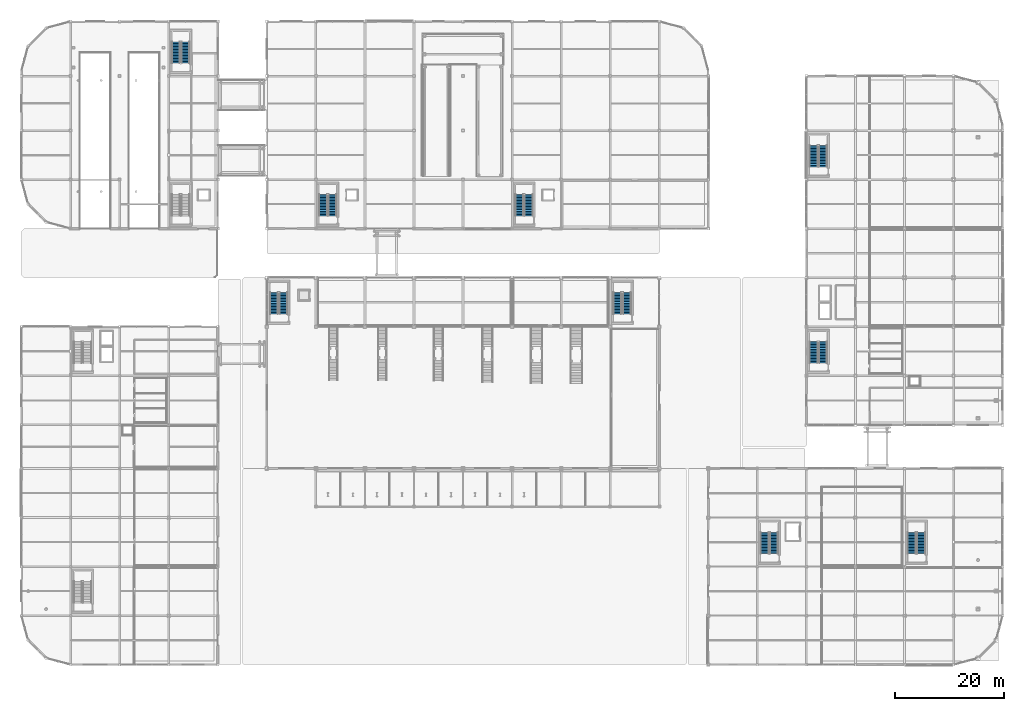
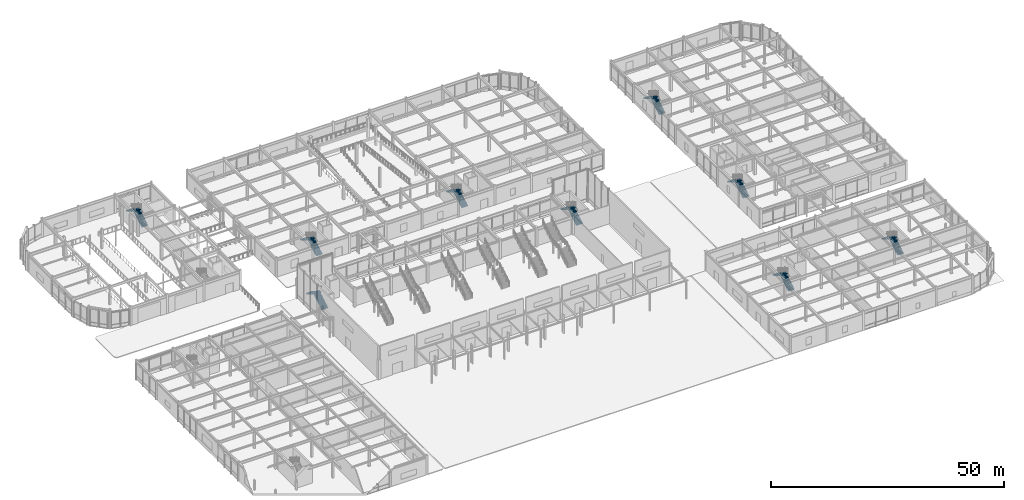
# One storey, part 95 of 123: 18 stair flights, 9 elements without a shape of their own.
"""IFC4 building model written with IfcOpenShell, lengths in metres."""

from ifc_helpers import new_model, si_unit, direction, frame, origin, place, context, subcontext, project, spatial, polyline, outline, extrude, material, type_object, element, aggregate, save


model = new_model("IFC4")

# Units and contexts
model_context = context("Model", 3, precision=1e-05, world=origin(), true_north=direction((0.0, 1.0)))
body_context = subcontext(model_context, "Body", "Model", "MODEL_VIEW")
ifc_project = project(units=[si_unit("LENGTHUNIT", "METRE"), si_unit("AREAUNIT", "SQUARE_METRE"), si_unit("VOLUMEUNIT", "CUBIC_METRE"), si_unit("PLANEANGLEUNIT", "RADIAN"), si_unit("MASSUNIT", "GRAM", prefix="KILO")], contexts=[model_context])

# Site, building, storey
site_placement = place(None, origin())
site = spatial("IfcSite", under=ifc_project, at=site_placement, CompositionType="ELEMENT")
building_placement = place(site_placement, origin())
building = spatial("IfcBuilding", under=site, at=building_placement, Name="Suzunagisa Mobility Hub", CompositionType="ELEMENT")
storey_placement = place(building_placement, origin())
storey = spatial("IfcBuildingStorey", under=building, at=storey_placement, Name="L00", CompositionType="ELEMENT", Elevation=0.0)

# Stair, stair flights
ifc_material = material(Name="Concrete C35/45", Category="concrete")
stair_type_1 = type_object("IfcStairType", Name="Dog-Leg Core Escape Stair ST-03 W1560", PredefinedType="HALF_TURN_STAIR", material=ifc_material)
stair_1_placement = place(storey_placement, origin())
stair_1 = element("IfcStair", 1, at=stair_1_placement, inside=storey, type_object=stair_type_1, Name="L00 Core C2 Escape Stair ST-03", PredefinedType="HALF_TURN_STAIR")
stair_flight_type_1 = type_object("IfcStairFlightType", Name="Dog-Leg Core Stair Flight ST-03-F W1560", PredefinedType="STRAIGHT", material=ifc_material)
stair_flight_1_placement = place(storey_placement, frame((48.06005859375, 64.360107421875, 0.0), z_axis=(0.0, 0.0, 1.0), x_axis=(0.0, 1.0, 0.0)))
stair_flight_1 = element("IfcStairFlight", 2, at=stair_flight_1_placement, type_object=stair_flight_type_1, Name="ST-03 flight 1", NumberOfRisers=15, NumberOfTreads=14, PredefinedType="STRAIGHT", RiserHeight=0.17, TreadLength=0.28, context=body_context, shape_type="SweptSolid", body=[
    extrude(outline(polyline([(0.0, 0.0), (0.0, 0.169921875), (0.280029296875, 0.169921875), (0.280029296875, 0.340087890625), (0.56005859375, 0.340087890625), (0.56005859375, 0.510009765625), (0.840087890625, 0.510009765625), (0.840087890625, 0.679931640625), (1.1201171875, 0.679931640625), (1.1201171875, 0.85009765625), (1.39990234375, 0.85009765625), (1.39990234375, 1.02001953125), (1.679931640625, 1.02001953125), (1.679931640625, 1.18994140625), (1.9599609375, 1.18994140625), (1.9599609375, 1.360107421875), (2.239990234375, 1.360107421875), (2.239990234375, 1.530029296875), (2.52001953125, 1.530029296875), (2.52001953125, 1.699951171875), (2.800048828125, 1.699951171875), (2.800048828125, 1.8701171875), (3.080078125, 1.8701171875), (3.080078125, 2.0400390625), (3.360107421875, 2.0400390625), (3.360107421875, 2.2099609375), (3.639892578125, 2.2099609375), (3.639892578125, 2.3798828125), (3.919921875, 2.3798828125), (3.919921875, 2.550048828125), (3.919921875, 2.19287109375), (0.30810546875, 0.0), (0.0, 0.0)])), frame((0.0, 0.780029296875, 0.0), z_axis=(0.0, -1.0, 0.0), x_axis=(1.0, 0.0, 0.0)), (0.0, 0.0, 1.0), 1.56005859375),
])
stair_flight_2_placement = place(storey_placement, frame((46.340087890625, 68.280029296875, 2.550048828125), z_axis=(0.0, 0.0, 1.0), x_axis=(0.0, -1.0, 0.0)))
stair_flight_2 = element("IfcStairFlight", 3, at=stair_flight_2_placement, type_object=stair_flight_type_1, Name="ST-03 flight 2", NumberOfRisers=15, NumberOfTreads=14, PredefinedType="STRAIGHT", RiserHeight=0.17, TreadLength=0.28, context=body_context, shape_type="SweptSolid", body=[
    extrude(outline(polyline([(0.0, 0.0), (0.0, 0.169921875), (0.280029296875, 0.169921875), (0.280029296875, 0.340087890625), (0.56005859375, 0.340087890625), (0.56005859375, 0.510009765625), (0.840087890625, 0.510009765625), (0.840087890625, 0.679931640625), (1.1201171875, 0.679931640625), (1.1201171875, 0.85009765625), (1.39990234375, 0.85009765625), (1.39990234375, 1.02001953125), (1.679931640625, 1.02001953125), (1.679931640625, 1.18994140625), (1.9599609375, 1.18994140625), (1.9599609375, 1.360107421875), (2.239990234375, 1.360107421875), (2.239990234375, 1.530029296875), (2.52001953125, 1.530029296875), (2.52001953125, 1.699951171875), (2.800048828125, 1.699951171875), (2.800048828125, 1.8701171875), (3.080078125, 1.8701171875), (3.080078125, 2.0400390625), (3.360107421875, 2.0400390625), (3.360107421875, 2.2099609375), (3.639892578125, 2.2099609375), (3.639892578125, 2.3798828125), (3.919921875, 2.3798828125), (3.919921875, 2.550048828125), (3.919921875, 2.19287109375), (0.30810546875, 0.0), (0.0, 0.0)])), frame((0.0, 0.780029296875, 0.0), z_axis=(0.0, -1.0, 0.0), x_axis=(1.0, 0.0, 0.0)), (0.0, 0.0, 1.0), 1.56005859375),
])
aggregate(stair_1, [stair_flight_1, stair_flight_2])

stair_type_2 = type_object("IfcStairType", Name="Dog-Leg Core Escape Stair ST-04 W1560", PredefinedType="HALF_TURN_STAIR", material=ifc_material)
stair_2_placement = place(storey_placement, origin())
stair_2 = element("IfcStair", 4, at=stair_2_placement, inside=storey, type_object=stair_type_2, Name="L00 Core C2B Escape Stair ST-04", PredefinedType="HALF_TURN_STAIR")
stair_flight_type_2 = type_object("IfcStairFlightType", Name="Dog-Leg Core Stair Flight ST-04-F W1560", PredefinedType="STRAIGHT", material=ifc_material)
stair_flight_3_placement = place(storey_placement, frame((111.06005859375, 64.360107421875, 0.0), z_axis=(0.0, 0.0, 1.0), x_axis=(0.0, 1.0, 0.0)))
stair_flight_3 = element("IfcStairFlight", 5, at=stair_flight_3_placement, type_object=stair_flight_type_2, Name="ST-04 flight 1", NumberOfRisers=15, NumberOfTreads=14, PredefinedType="STRAIGHT", RiserHeight=0.17, TreadLength=0.28, context=body_context, shape_type="SweptSolid", body=[
    extrude(outline(polyline([(0.0, 0.0), (0.0, 0.169921875), (0.280029296875, 0.169921875), (0.280029296875, 0.340087890625), (0.56005859375, 0.340087890625), (0.56005859375, 0.510009765625), (0.840087890625, 0.510009765625), (0.840087890625, 0.679931640625), (1.1201171875, 0.679931640625), (1.1201171875, 0.85009765625), (1.39990234375, 0.85009765625), (1.39990234375, 1.02001953125), (1.679931640625, 1.02001953125), (1.679931640625, 1.18994140625), (1.9599609375, 1.18994140625), (1.9599609375, 1.360107421875), (2.239990234375, 1.360107421875), (2.239990234375, 1.530029296875), (2.52001953125, 1.530029296875), (2.52001953125, 1.699951171875), (2.800048828125, 1.699951171875), (2.800048828125, 1.8701171875), (3.080078125, 1.8701171875), (3.080078125, 2.0400390625), (3.360107421875, 2.0400390625), (3.360107421875, 2.2099609375), (3.639892578125, 2.2099609375), (3.639892578125, 2.3798828125), (3.919921875, 2.3798828125), (3.919921875, 2.550048828125), (3.919921875, 2.19287109375), (0.30810546875, 0.0), (0.0, 0.0)])), frame((0.0, 0.780029296875, 0.0), z_axis=(0.0, -1.0, 0.0), x_axis=(1.0, 0.0, 0.0)), (0.0, 0.0, 1.0), 1.56005859375),
])
stair_flight_4_placement = place(storey_placement, frame((109.340087890625, 68.280029296875, 2.550048828125), z_axis=(0.0, 0.0, 1.0), x_axis=(0.0, -1.0, 0.0)))
stair_flight_4 = element("IfcStairFlight", 6, at=stair_flight_4_placement, type_object=stair_flight_type_2, Name="ST-04 flight 2", NumberOfRisers=15, NumberOfTreads=14, PredefinedType="STRAIGHT", RiserHeight=0.17, TreadLength=0.28, context=body_context, shape_type="SweptSolid", body=[
    extrude(outline(polyline([(0.0, 0.0), (0.0, 0.169921875), (0.280029296875, 0.169921875), (0.280029296875, 0.340087890625), (0.56005859375, 0.340087890625), (0.56005859375, 0.510009765625), (0.840087890625, 0.510009765625), (0.840087890625, 0.679931640625), (1.1201171875, 0.679931640625), (1.1201171875, 0.85009765625), (1.39990234375, 0.85009765625), (1.39990234375, 1.02001953125), (1.679931640625, 1.02001953125), (1.679931640625, 1.18994140625), (1.9599609375, 1.18994140625), (1.9599609375, 1.360107421875), (2.239990234375, 1.360107421875), (2.239990234375, 1.530029296875), (2.52001953125, 1.530029296875), (2.52001953125, 1.699951171875), (2.800048828125, 1.699951171875), (2.800048828125, 1.8701171875), (3.080078125, 1.8701171875), (3.080078125, 2.0400390625), (3.360107421875, 2.0400390625), (3.360107421875, 2.2099609375), (3.639892578125, 2.2099609375), (3.639892578125, 2.3798828125), (3.919921875, 2.3798828125), (3.919921875, 2.550048828125), (3.919921875, 2.19287109375), (0.30810546875, 0.0), (0.0, 0.0)])), frame((0.0, 0.780029296875, 0.0), z_axis=(0.0, -1.0, 0.0), x_axis=(1.0, 0.0, 0.0)), (0.0, 0.0, 1.0), 1.56005859375),
])
aggregate(stair_2, [stair_flight_3, stair_flight_4])

stair_type_3 = type_object("IfcStairType", Name="Dog-Leg Core Escape Stair ST-06 W1560", PredefinedType="HALF_TURN_STAIR", material=ifc_material)
stair_3_placement = place(storey_placement, origin())
stair_3 = element("IfcStair", 7, at=stair_3_placement, inside=storey, type_object=stair_type_3, Name="L00 Core C6B Escape Stair ST-06", PredefinedType="HALF_TURN_STAIR")
stair_flight_type_3 = type_object("IfcStairFlightType", Name="Dog-Leg Core Stair Flight ST-06-F W1560", PredefinedType="STRAIGHT", material=ifc_material)
stair_flight_5_placement = place(storey_placement, frame((30.06005859375, 110.360107421875, 0.0), z_axis=(0.0, 0.0, 1.0), x_axis=(0.0, 1.0, 0.0)))
stair_flight_5 = element("IfcStairFlight", 8, at=stair_flight_5_placement, type_object=stair_flight_type_3, Name="ST-06 flight 1", NumberOfRisers=15, NumberOfTreads=14, PredefinedType="STRAIGHT", RiserHeight=0.17, TreadLength=0.28, context=body_context, shape_type="SweptSolid", body=[
    extrude(outline(polyline([(0.0, 0.0), (0.0, 0.169921875), (0.280029296875, 0.169921875), (0.280029296875, 0.340087890625), (0.56005859375, 0.340087890625), (0.56005859375, 0.510009765625), (0.840087890625, 0.510009765625), (0.840087890625, 0.679931640625), (1.1201171875, 0.679931640625), (1.1201171875, 0.85009765625), (1.39990234375, 0.85009765625), (1.39990234375, 1.02001953125), (1.679931640625, 1.02001953125), (1.679931640625, 1.18994140625), (1.9599609375, 1.18994140625), (1.9599609375, 1.360107421875), (2.239990234375, 1.360107421875), (2.239990234375, 1.530029296875), (2.52001953125, 1.530029296875), (2.52001953125, 1.699951171875), (2.800048828125, 1.699951171875), (2.800048828125, 1.8701171875), (3.080078125, 1.8701171875), (3.080078125, 2.0400390625), (3.360107421875, 2.0400390625), (3.360107421875, 2.2099609375), (3.639892578125, 2.2099609375), (3.639892578125, 2.3798828125), (3.919921875, 2.3798828125), (3.919921875, 2.550048828125), (3.919921875, 2.19287109375), (0.30810546875, 0.0), (0.0, 0.0)])), frame((0.0, 0.780029296875, 0.0), z_axis=(0.0, -1.0, 0.0), x_axis=(1.0, 0.0, 0.0)), (0.0, 0.0, 1.0), 1.56005859375),
])
stair_flight_6_placement = place(storey_placement, frame((28.340087890625, 114.280029296875, 2.550048828125), z_axis=(0.0, 0.0, 1.0), x_axis=(0.0, -1.0, 0.0)))
stair_flight_6 = element("IfcStairFlight", 9, at=stair_flight_6_placement, type_object=stair_flight_type_3, Name="ST-06 flight 2", NumberOfRisers=15, NumberOfTreads=14, PredefinedType="STRAIGHT", RiserHeight=0.17, TreadLength=0.28, context=body_context, shape_type="SweptSolid", body=[
    extrude(outline(polyline([(0.0, 0.0), (0.0, 0.169921875), (0.280029296875, 0.169921875), (0.280029296875, 0.340087890625), (0.56005859375, 0.340087890625), (0.56005859375, 0.510009765625), (0.840087890625, 0.510009765625), (0.840087890625, 0.679931640625), (1.1201171875, 0.679931640625), (1.1201171875, 0.85009765625), (1.39990234375, 0.85009765625), (1.39990234375, 1.02001953125), (1.679931640625, 1.02001953125), (1.679931640625, 1.18994140625), (1.9599609375, 1.18994140625), (1.9599609375, 1.360107421875), (2.239990234375, 1.360107421875), (2.239990234375, 1.530029296875), (2.52001953125, 1.530029296875), (2.52001953125, 1.699951171875), (2.800048828125, 1.699951171875), (2.800048828125, 1.8701171875), (3.080078125, 1.8701171875), (3.080078125, 2.0400390625), (3.360107421875, 2.0400390625), (3.360107421875, 2.2099609375), (3.639892578125, 2.2099609375), (3.639892578125, 2.3798828125), (3.919921875, 2.3798828125), (3.919921875, 2.550048828125), (3.919921875, 2.19287109375), (0.30810546875, 0.0), (0.0, 0.0)])), frame((0.0, 0.780029296875, 0.0), z_axis=(0.0, -1.0, 0.0), x_axis=(1.0, 0.0, 0.0)), (0.0, 0.0, 1.0), 1.56005859375),
])
aggregate(stair_3, [stair_flight_5, stair_flight_6])

stair_type_4 = type_object("IfcStairType", Name="Dog-Leg Core Escape Stair ST-07 W1560", PredefinedType="HALF_TURN_STAIR", material=ifc_material)
stair_4_placement = place(storey_placement, origin())
stair_4 = element("IfcStair", 10, at=stair_4_placement, inside=storey, type_object=stair_type_4, Name="L00 Core C3 Escape Stair ST-07", PredefinedType="HALF_TURN_STAIR")
stair_flight_type_4 = type_object("IfcStairFlightType", Name="Dog-Leg Core Stair Flight ST-07-F W1560", PredefinedType="STRAIGHT", material=ifc_material)
stair_flight_7_placement = place(storey_placement, frame((57.06005859375, 82.360107421875, 0.0), z_axis=(0.0, 0.0, 1.0), x_axis=(0.0, 1.0, 0.0)))
stair_flight_7 = element("IfcStairFlight", 11, at=stair_flight_7_placement, type_object=stair_flight_type_4, Name="ST-07 flight 1", NumberOfRisers=15, NumberOfTreads=14, PredefinedType="STRAIGHT", RiserHeight=0.17, TreadLength=0.28, context=body_context, shape_type="SweptSolid", body=[
    extrude(outline(polyline([(0.0, 0.0), (0.0, 0.169921875), (0.280029296875, 0.169921875), (0.280029296875, 0.340087890625), (0.56005859375, 0.340087890625), (0.56005859375, 0.510009765625), (0.840087890625, 0.510009765625), (0.840087890625, 0.679931640625), (1.1201171875, 0.679931640625), (1.1201171875, 0.85009765625), (1.39990234375, 0.85009765625), (1.39990234375, 1.02001953125), (1.679931640625, 1.02001953125), (1.679931640625, 1.18994140625), (1.9599609375, 1.18994140625), (1.9599609375, 1.360107421875), (2.239990234375, 1.360107421875), (2.239990234375, 1.530029296875), (2.52001953125, 1.530029296875), (2.52001953125, 1.699951171875), (2.800048828125, 1.699951171875), (2.800048828125, 1.8701171875), (3.080078125, 1.8701171875), (3.080078125, 2.0400390625), (3.360107421875, 2.0400390625), (3.360107421875, 2.2099609375), (3.639892578125, 2.2099609375), (3.639892578125, 2.3798828125), (3.919921875, 2.3798828125), (3.919921875, 2.550048828125), (3.919921875, 2.19287109375), (0.30810546875, 0.0), (0.0, 0.0)])), frame((0.0, 0.780029296875, 0.0), z_axis=(0.0, -1.0, 0.0), x_axis=(1.0, 0.0, 0.0)), (0.0, 0.0, 1.0), 1.56005859375),
])
stair_flight_8_placement = place(storey_placement, frame((55.340087890625, 86.280029296875, 2.550048828125), z_axis=(0.0, 0.0, 1.0), x_axis=(0.0, -1.0, 0.0)))
stair_flight_8 = element("IfcStairFlight", 12, at=stair_flight_8_placement, type_object=stair_flight_type_4, Name="ST-07 flight 2", NumberOfRisers=15, NumberOfTreads=14, PredefinedType="STRAIGHT", RiserHeight=0.17, TreadLength=0.28, context=body_context, shape_type="SweptSolid", body=[
    extrude(outline(polyline([(0.0, 0.0), (0.0, 0.169921875), (0.280029296875, 0.169921875), (0.280029296875, 0.340087890625), (0.56005859375, 0.340087890625), (0.56005859375, 0.510009765625), (0.840087890625, 0.510009765625), (0.840087890625, 0.679931640625), (1.1201171875, 0.679931640625), (1.1201171875, 0.85009765625), (1.39990234375, 0.85009765625), (1.39990234375, 1.02001953125), (1.679931640625, 1.02001953125), (1.679931640625, 1.18994140625), (1.9599609375, 1.18994140625), (1.9599609375, 1.360107421875), (2.239990234375, 1.360107421875), (2.239990234375, 1.530029296875), (2.52001953125, 1.530029296875), (2.52001953125, 1.699951171875), (2.800048828125, 1.699951171875), (2.800048828125, 1.8701171875), (3.080078125, 1.8701171875), (3.080078125, 2.0400390625), (3.360107421875, 2.0400390625), (3.360107421875, 2.2099609375), (3.639892578125, 2.2099609375), (3.639892578125, 2.3798828125), (3.919921875, 2.3798828125), (3.919921875, 2.550048828125), (3.919921875, 2.19287109375), (0.30810546875, 0.0), (0.0, 0.0)])), frame((0.0, 0.780029296875, 0.0), z_axis=(0.0, -1.0, 0.0), x_axis=(1.0, 0.0, 0.0)), (0.0, 0.0, 1.0), 1.56005859375),
])
aggregate(stair_4, [stair_flight_7, stair_flight_8])

stair_type_5 = type_object("IfcStairType", Name="Dog-Leg Core Escape Stair ST-08 W1560", PredefinedType="HALF_TURN_STAIR", material=ifc_material)
stair_5_placement = place(storey_placement, origin())
stair_5 = element("IfcStair", 13, at=stair_5_placement, inside=storey, type_object=stair_type_5, Name="L00 Core C4 Escape Stair ST-08", PredefinedType="HALF_TURN_STAIR")
stair_flight_type_5 = type_object("IfcStairFlightType", Name="Dog-Leg Core Stair Flight ST-08-F W1560", PredefinedType="STRAIGHT", material=ifc_material)
stair_flight_9_placement = place(storey_placement, frame((93.06005859375, 82.360107421875, 0.0), z_axis=(0.0, 0.0, 1.0), x_axis=(0.0, 1.0, 0.0)))
stair_flight_9 = element("IfcStairFlight", 14, at=stair_flight_9_placement, type_object=stair_flight_type_5, Name="ST-08 flight 1", NumberOfRisers=15, NumberOfTreads=14, PredefinedType="STRAIGHT", RiserHeight=0.17, TreadLength=0.28, context=body_context, shape_type="SweptSolid", body=[
    extrude(outline(polyline([(0.0, 0.0), (0.0, 0.169921875), (0.280029296875, 0.169921875), (0.280029296875, 0.340087890625), (0.56005859375, 0.340087890625), (0.56005859375, 0.510009765625), (0.840087890625, 0.510009765625), (0.840087890625, 0.679931640625), (1.1201171875, 0.679931640625), (1.1201171875, 0.85009765625), (1.39990234375, 0.85009765625), (1.39990234375, 1.02001953125), (1.679931640625, 1.02001953125), (1.679931640625, 1.18994140625), (1.9599609375, 1.18994140625), (1.9599609375, 1.360107421875), (2.239990234375, 1.360107421875), (2.239990234375, 1.530029296875), (2.52001953125, 1.530029296875), (2.52001953125, 1.699951171875), (2.800048828125, 1.699951171875), (2.800048828125, 1.8701171875), (3.080078125, 1.8701171875), (3.080078125, 2.0400390625), (3.360107421875, 2.0400390625), (3.360107421875, 2.2099609375), (3.639892578125, 2.2099609375), (3.639892578125, 2.3798828125), (3.919921875, 2.3798828125), (3.919921875, 2.550048828125), (3.919921875, 2.19287109375), (0.30810546875, 0.0), (0.0, 0.0)])), frame((0.0, 0.780029296875, 0.0), z_axis=(0.0, -1.0, 0.0), x_axis=(1.0, 0.0, 0.0)), (0.0, 0.0, 1.0), 1.56005859375),
])
stair_flight_10_placement = place(storey_placement, frame((91.340087890625, 86.280029296875, 2.550048828125), z_axis=(0.0, 0.0, 1.0), x_axis=(0.0, -1.0, 0.0)))
stair_flight_10 = element("IfcStairFlight", 15, at=stair_flight_10_placement, type_object=stair_flight_type_5, Name="ST-08 flight 2", NumberOfRisers=15, NumberOfTreads=14, PredefinedType="STRAIGHT", RiserHeight=0.17, TreadLength=0.28, context=body_context, shape_type="SweptSolid", body=[
    extrude(outline(polyline([(0.0, 0.0), (0.0, 0.169921875), (0.280029296875, 0.169921875), (0.280029296875, 0.340087890625), (0.56005859375, 0.340087890625), (0.56005859375, 0.510009765625), (0.840087890625, 0.510009765625), (0.840087890625, 0.679931640625), (1.1201171875, 0.679931640625), (1.1201171875, 0.85009765625), (1.39990234375, 0.85009765625), (1.39990234375, 1.02001953125), (1.679931640625, 1.02001953125), (1.679931640625, 1.18994140625), (1.9599609375, 1.18994140625), (1.9599609375, 1.360107421875), (2.239990234375, 1.360107421875), (2.239990234375, 1.530029296875), (2.52001953125, 1.530029296875), (2.52001953125, 1.699951171875), (2.800048828125, 1.699951171875), (2.800048828125, 1.8701171875), (3.080078125, 1.8701171875), (3.080078125, 2.0400390625), (3.360107421875, 2.0400390625), (3.360107421875, 2.2099609375), (3.639892578125, 2.2099609375), (3.639892578125, 2.3798828125), (3.919921875, 2.3798828125), (3.919921875, 2.550048828125), (3.919921875, 2.19287109375), (0.30810546875, 0.0), (0.0, 0.0)])), frame((0.0, 0.780029296875, 0.0), z_axis=(0.0, -1.0, 0.0), x_axis=(1.0, 0.0, 0.0)), (0.0, 0.0, 1.0), 1.56005859375),
])
aggregate(stair_5, [stair_flight_9, stair_flight_10])

stair_type_6 = type_object("IfcStairType", Name="Dog-Leg Core Escape Stair ST-09 W1560", PredefinedType="HALF_TURN_STAIR", material=ifc_material)
stair_6_placement = place(storey_placement, origin())
stair_6 = element("IfcStair", 16, at=stair_6_placement, inside=storey, type_object=stair_type_6, Name="L00 Core C7 Escape Stair ST-09", PredefinedType="HALF_TURN_STAIR")
stair_flight_type_6 = type_object("IfcStairFlightType", Name="Dog-Leg Core Stair Flight ST-09-F W1560", PredefinedType="STRAIGHT", material=ifc_material)
stair_flight_11_placement = place(storey_placement, frame((138.06005859375, 20.360107421875, 0.0), z_axis=(0.0, 0.0, 1.0), x_axis=(0.0, 1.0, 0.0)))
stair_flight_11 = element("IfcStairFlight", 17, at=stair_flight_11_placement, type_object=stair_flight_type_6, Name="ST-09 flight 1", NumberOfRisers=15, NumberOfTreads=14, PredefinedType="STRAIGHT", RiserHeight=0.17, TreadLength=0.28, context=body_context, shape_type="SweptSolid", body=[
    extrude(outline(polyline([(0.0, 0.0), (0.0, 0.169921875), (0.280029296875, 0.169921875), (0.280029296875, 0.340087890625), (0.56005859375, 0.340087890625), (0.56005859375, 0.510009765625), (0.840087890625, 0.510009765625), (0.840087890625, 0.679931640625), (1.1201171875, 0.679931640625), (1.1201171875, 0.85009765625), (1.39990234375, 0.85009765625), (1.39990234375, 1.02001953125), (1.679931640625, 1.02001953125), (1.679931640625, 1.18994140625), (1.9599609375, 1.18994140625), (1.9599609375, 1.360107421875), (2.239990234375, 1.360107421875), (2.239990234375, 1.530029296875), (2.52001953125, 1.530029296875), (2.52001953125, 1.699951171875), (2.800048828125, 1.699951171875), (2.800048828125, 1.8701171875), (3.080078125, 1.8701171875), (3.080078125, 2.0400390625), (3.360107421875, 2.0400390625), (3.360107421875, 2.2099609375), (3.639892578125, 2.2099609375), (3.639892578125, 2.3798828125), (3.919921875, 2.3798828125), (3.919921875, 2.550048828125), (3.919921875, 2.19287109375), (0.30810546875, 0.0), (0.0, 0.0)])), frame((0.0, 0.780029296875, 0.0), z_axis=(0.0, -1.0, 0.0), x_axis=(1.0, 0.0, 0.0)), (0.0, 0.0, 1.0), 1.56005859375),
])
stair_flight_12_placement = place(storey_placement, frame((136.340087890625, 24.280029296875, 2.550048828125), z_axis=(0.0, 0.0, 1.0), x_axis=(0.0, -1.0, 0.0)))
stair_flight_12 = element("IfcStairFlight", 18, at=stair_flight_12_placement, type_object=stair_flight_type_6, Name="ST-09 flight 2", NumberOfRisers=15, NumberOfTreads=14, PredefinedType="STRAIGHT", RiserHeight=0.17, TreadLength=0.28, context=body_context, shape_type="SweptSolid", body=[
    extrude(outline(polyline([(0.0, 0.0), (0.0, 0.169921875), (0.280029296875, 0.169921875), (0.280029296875, 0.340087890625), (0.56005859375, 0.340087890625), (0.56005859375, 0.510009765625), (0.840087890625, 0.510009765625), (0.840087890625, 0.679931640625), (1.1201171875, 0.679931640625), (1.1201171875, 0.85009765625), (1.39990234375, 0.85009765625), (1.39990234375, 1.02001953125), (1.679931640625, 1.02001953125), (1.679931640625, 1.18994140625), (1.9599609375, 1.18994140625), (1.9599609375, 1.360107421875), (2.239990234375, 1.360107421875), (2.239990234375, 1.530029296875), (2.52001953125, 1.530029296875), (2.52001953125, 1.699951171875), (2.800048828125, 1.699951171875), (2.800048828125, 1.8701171875), (3.080078125, 1.8701171875), (3.080078125, 2.0400390625), (3.360107421875, 2.0400390625), (3.360107421875, 2.2099609375), (3.639892578125, 2.2099609375), (3.639892578125, 2.3798828125), (3.919921875, 2.3798828125), (3.919921875, 2.550048828125), (3.919921875, 2.19287109375), (0.30810546875, 0.0), (0.0, 0.0)])), frame((0.0, 0.780029296875, 0.0), z_axis=(0.0, -1.0, 0.0), x_axis=(1.0, 0.0, 0.0)), (0.0, 0.0, 1.0), 1.56005859375),
])
aggregate(stair_6, [stair_flight_11, stair_flight_12])

stair_type_7 = type_object("IfcStairType", Name="Dog-Leg Core Escape Stair ST-10 W1560", PredefinedType="HALF_TURN_STAIR", material=ifc_material)
stair_7_placement = place(storey_placement, origin())
stair_7 = element("IfcStair", 19, at=stair_7_placement, inside=storey, type_object=stair_type_7, Name="L00 Core C7B Escape Stair ST-10", PredefinedType="HALF_TURN_STAIR")
stair_flight_type_7 = type_object("IfcStairFlightType", Name="Dog-Leg Core Stair Flight ST-10-F W1560", PredefinedType="STRAIGHT", material=ifc_material)
stair_flight_13_placement = place(storey_placement, frame((165.06005859375, 20.360107421875, 0.0), z_axis=(0.0, 0.0, 1.0), x_axis=(0.0, 1.0, 0.0)))
stair_flight_13 = element("IfcStairFlight", 20, at=stair_flight_13_placement, type_object=stair_flight_type_7, Name="ST-10 flight 1", NumberOfRisers=15, NumberOfTreads=14, PredefinedType="STRAIGHT", RiserHeight=0.17, TreadLength=0.28, context=body_context, shape_type="SweptSolid", body=[
    extrude(outline(polyline([(0.0, 0.0), (0.0, 0.169921875), (0.280029296875, 0.169921875), (0.280029296875, 0.340087890625), (0.56005859375, 0.340087890625), (0.56005859375, 0.510009765625), (0.840087890625, 0.510009765625), (0.840087890625, 0.679931640625), (1.1201171875, 0.679931640625), (1.1201171875, 0.85009765625), (1.39990234375, 0.85009765625), (1.39990234375, 1.02001953125), (1.679931640625, 1.02001953125), (1.679931640625, 1.18994140625), (1.9599609375, 1.18994140625), (1.9599609375, 1.360107421875), (2.239990234375, 1.360107421875), (2.239990234375, 1.530029296875), (2.52001953125, 1.530029296875), (2.52001953125, 1.699951171875), (2.800048828125, 1.699951171875), (2.800048828125, 1.8701171875), (3.080078125, 1.8701171875), (3.080078125, 2.0400390625), (3.360107421875, 2.0400390625), (3.360107421875, 2.2099609375), (3.639892578125, 2.2099609375), (3.639892578125, 2.3798828125), (3.919921875, 2.3798828125), (3.919921875, 2.550048828125), (3.919921875, 2.19287109375), (0.30810546875, 0.0), (0.0, 0.0)])), frame((0.0, 0.780029296875, 0.0), z_axis=(0.0, -1.0, 0.0), x_axis=(1.0, 0.0, 0.0)), (0.0, 0.0, 1.0), 1.56005859375),
])
stair_flight_14_placement = place(storey_placement, frame((163.340087890625, 24.280029296875, 2.550048828125), z_axis=(0.0, 0.0, 1.0), x_axis=(0.0, -1.0, 0.0)))
stair_flight_14 = element("IfcStairFlight", 21, at=stair_flight_14_placement, type_object=stair_flight_type_7, Name="ST-10 flight 2", NumberOfRisers=15, NumberOfTreads=14, PredefinedType="STRAIGHT", RiserHeight=0.17, TreadLength=0.28, context=body_context, shape_type="SweptSolid", body=[
    extrude(outline(polyline([(0.0, 0.0), (0.0, 0.169921875), (0.280029296875, 0.169921875), (0.280029296875, 0.340087890625), (0.56005859375, 0.340087890625), (0.56005859375, 0.510009765625), (0.840087890625, 0.510009765625), (0.840087890625, 0.679931640625), (1.1201171875, 0.679931640625), (1.1201171875, 0.85009765625), (1.39990234375, 0.85009765625), (1.39990234375, 1.02001953125), (1.679931640625, 1.02001953125), (1.679931640625, 1.18994140625), (1.9599609375, 1.18994140625), (1.9599609375, 1.360107421875), (2.239990234375, 1.360107421875), (2.239990234375, 1.530029296875), (2.52001953125, 1.530029296875), (2.52001953125, 1.699951171875), (2.800048828125, 1.699951171875), (2.800048828125, 1.8701171875), (3.080078125, 1.8701171875), (3.080078125, 2.0400390625), (3.360107421875, 2.0400390625), (3.360107421875, 2.2099609375), (3.639892578125, 2.2099609375), (3.639892578125, 2.3798828125), (3.919921875, 2.3798828125), (3.919921875, 2.550048828125), (3.919921875, 2.19287109375), (0.30810546875, 0.0), (0.0, 0.0)])), frame((0.0, 0.780029296875, 0.0), z_axis=(0.0, -1.0, 0.0), x_axis=(1.0, 0.0, 0.0)), (0.0, 0.0, 1.0), 1.56005859375),
])
aggregate(stair_7, [stair_flight_13, stair_flight_14])

stair_type_8 = type_object("IfcStairType", Name="Dog-Leg Core Escape Stair ST-11 W1560", PredefinedType="HALF_TURN_STAIR", material=ifc_material)
stair_8_placement = place(storey_placement, origin())
stair_8 = element("IfcStair", 22, at=stair_8_placement, inside=storey, type_object=stair_type_8, Name="L00 Core C5 Escape Stair ST-11", PredefinedType="HALF_TURN_STAIR")
stair_flight_type_8 = type_object("IfcStairFlightType", Name="Dog-Leg Core Stair Flight ST-11-F W1560", PredefinedType="STRAIGHT", material=ifc_material)
stair_flight_15_placement = place(storey_placement, frame((147.06005859375, 55.360107421875, 0.0), z_axis=(0.0, 0.0, 1.0), x_axis=(0.0, 1.0, 0.0)))
stair_flight_15 = element("IfcStairFlight", 23, at=stair_flight_15_placement, type_object=stair_flight_type_8, Name="ST-11 flight 1", NumberOfRisers=15, NumberOfTreads=14, PredefinedType="STRAIGHT", RiserHeight=0.17, TreadLength=0.28, context=body_context, shape_type="SweptSolid", body=[
    extrude(outline(polyline([(0.0, 0.0), (0.0, 0.169921875), (0.280029296875, 0.169921875), (0.280029296875, 0.340087890625), (0.56005859375, 0.340087890625), (0.56005859375, 0.510009765625), (0.840087890625, 0.510009765625), (0.840087890625, 0.679931640625), (1.1201171875, 0.679931640625), (1.1201171875, 0.85009765625), (1.39990234375, 0.85009765625), (1.39990234375, 1.02001953125), (1.679931640625, 1.02001953125), (1.679931640625, 1.18994140625), (1.9599609375, 1.18994140625), (1.9599609375, 1.360107421875), (2.239990234375, 1.360107421875), (2.239990234375, 1.530029296875), (2.52001953125, 1.530029296875), (2.52001953125, 1.699951171875), (2.800048828125, 1.699951171875), (2.800048828125, 1.8701171875), (3.080078125, 1.8701171875), (3.080078125, 2.0400390625), (3.360107421875, 2.0400390625), (3.360107421875, 2.2099609375), (3.639892578125, 2.2099609375), (3.639892578125, 2.3798828125), (3.919921875, 2.3798828125), (3.919921875, 2.550048828125), (3.919921875, 2.19287109375), (0.30810546875, 0.0), (0.0, 0.0)])), frame((0.0, 0.780029296875, 0.0), z_axis=(0.0, -1.0, 0.0), x_axis=(1.0, 0.0, 0.0)), (0.0, 0.0, 1.0), 1.56005859375),
])
stair_flight_16_placement = place(storey_placement, frame((145.340087890625, 59.280029296875, 2.550048828125), z_axis=(0.0, 0.0, 1.0), x_axis=(0.0, -1.0, 0.0)))
stair_flight_16 = element("IfcStairFlight", 24, at=stair_flight_16_placement, type_object=stair_flight_type_8, Name="ST-11 flight 2", NumberOfRisers=15, NumberOfTreads=14, PredefinedType="STRAIGHT", RiserHeight=0.17, TreadLength=0.28, context=body_context, shape_type="SweptSolid", body=[
    extrude(outline(polyline([(0.0, 0.0), (0.0, 0.169921875), (0.280029296875, 0.169921875), (0.280029296875, 0.340087890625), (0.56005859375, 0.340087890625), (0.56005859375, 0.510009765625), (0.840087890625, 0.510009765625), (0.840087890625, 0.679931640625), (1.1201171875, 0.679931640625), (1.1201171875, 0.85009765625), (1.39990234375, 0.85009765625), (1.39990234375, 1.02001953125), (1.679931640625, 1.02001953125), (1.679931640625, 1.18994140625), (1.9599609375, 1.18994140625), (1.9599609375, 1.360107421875), (2.239990234375, 1.360107421875), (2.239990234375, 1.530029296875), (2.52001953125, 1.530029296875), (2.52001953125, 1.699951171875), (2.800048828125, 1.699951171875), (2.800048828125, 1.8701171875), (3.080078125, 1.8701171875), (3.080078125, 2.0400390625), (3.360107421875, 2.0400390625), (3.360107421875, 2.2099609375), (3.639892578125, 2.2099609375), (3.639892578125, 2.3798828125), (3.919921875, 2.3798828125), (3.919921875, 2.550048828125), (3.919921875, 2.19287109375), (0.30810546875, 0.0), (0.0, 0.0)])), frame((0.0, 0.780029296875, 0.0), z_axis=(0.0, -1.0, 0.0), x_axis=(1.0, 0.0, 0.0)), (0.0, 0.0, 1.0), 1.56005859375),
])
aggregate(stair_8, [stair_flight_15, stair_flight_16])

stair_type_9 = type_object("IfcStairType", Name="Dog-Leg Core Escape Stair ST-12 W1560", PredefinedType="HALF_TURN_STAIR", material=ifc_material)
stair_9_placement = place(storey_placement, origin())
stair_9 = element("IfcStair", 25, at=stair_9_placement, inside=storey, type_object=stair_type_9, Name="L00 Core C5B Escape Stair ST-12", PredefinedType="HALF_TURN_STAIR")
stair_flight_type_9 = type_object("IfcStairFlightType", Name="Dog-Leg Core Stair Flight ST-12-F W1560", PredefinedType="STRAIGHT", material=ifc_material)
stair_flight_17_placement = place(storey_placement, frame((147.06005859375, 91.360107421875, 0.0), z_axis=(0.0, 0.0, 1.0), x_axis=(0.0, 1.0, 0.0)))
stair_flight_17 = element("IfcStairFlight", 26, at=stair_flight_17_placement, type_object=stair_flight_type_9, Name="ST-12 flight 1", NumberOfRisers=15, NumberOfTreads=14, PredefinedType="STRAIGHT", RiserHeight=0.17, TreadLength=0.28, context=body_context, shape_type="SweptSolid", body=[
    extrude(outline(polyline([(0.0, 0.0), (0.0, 0.169921875), (0.280029296875, 0.169921875), (0.280029296875, 0.340087890625), (0.56005859375, 0.340087890625), (0.56005859375, 0.510009765625), (0.840087890625, 0.510009765625), (0.840087890625, 0.679931640625), (1.1201171875, 0.679931640625), (1.1201171875, 0.85009765625), (1.39990234375, 0.85009765625), (1.39990234375, 1.02001953125), (1.679931640625, 1.02001953125), (1.679931640625, 1.18994140625), (1.9599609375, 1.18994140625), (1.9599609375, 1.360107421875), (2.239990234375, 1.360107421875), (2.239990234375, 1.530029296875), (2.52001953125, 1.530029296875), (2.52001953125, 1.699951171875), (2.800048828125, 1.699951171875), (2.800048828125, 1.8701171875), (3.080078125, 1.8701171875), (3.080078125, 2.0400390625), (3.360107421875, 2.0400390625), (3.360107421875, 2.2099609375), (3.639892578125, 2.2099609375), (3.639892578125, 2.3798828125), (3.919921875, 2.3798828125), (3.919921875, 2.550048828125), (3.919921875, 2.19287109375), (0.30810546875, 0.0), (0.0, 0.0)])), frame((0.0, 0.780029296875, 0.0), z_axis=(0.0, -1.0, 0.0), x_axis=(1.0, 0.0, 0.0)), (0.0, 0.0, 1.0), 1.56005859375),
])
stair_flight_18_placement = place(storey_placement, frame((145.340087890625, 95.280029296875, 2.550048828125), z_axis=(0.0, 0.0, 1.0), x_axis=(0.0, -1.0, 0.0)))
stair_flight_18 = element("IfcStairFlight", 27, at=stair_flight_18_placement, type_object=stair_flight_type_9, Name="ST-12 flight 2", NumberOfRisers=15, NumberOfTreads=14, PredefinedType="STRAIGHT", RiserHeight=0.17, TreadLength=0.28, context=body_context, shape_type="SweptSolid", body=[
    extrude(outline(polyline([(0.0, 0.0), (0.0, 0.169921875), (0.280029296875, 0.169921875), (0.280029296875, 0.340087890625), (0.56005859375, 0.340087890625), (0.56005859375, 0.510009765625), (0.840087890625, 0.510009765625), (0.840087890625, 0.679931640625), (1.1201171875, 0.679931640625), (1.1201171875, 0.85009765625), (1.39990234375, 0.85009765625), (1.39990234375, 1.02001953125), (1.679931640625, 1.02001953125), (1.679931640625, 1.18994140625), (1.9599609375, 1.18994140625), (1.9599609375, 1.360107421875), (2.239990234375, 1.360107421875), (2.239990234375, 1.530029296875), (2.52001953125, 1.530029296875), (2.52001953125, 1.699951171875), (2.800048828125, 1.699951171875), (2.800048828125, 1.8701171875), (3.080078125, 1.8701171875), (3.080078125, 2.0400390625), (3.360107421875, 2.0400390625), (3.360107421875, 2.2099609375), (3.639892578125, 2.2099609375), (3.639892578125, 2.3798828125), (3.919921875, 2.3798828125), (3.919921875, 2.550048828125), (3.919921875, 2.19287109375), (0.30810546875, 0.0), (0.0, 0.0)])), frame((0.0, 0.780029296875, 0.0), z_axis=(0.0, -1.0, 0.0), x_axis=(1.0, 0.0, 0.0)), (0.0, 0.0, 1.0), 1.56005859375),
])
aggregate(stair_9, [stair_flight_17, stair_flight_18])

save(model, "model.ifc")
